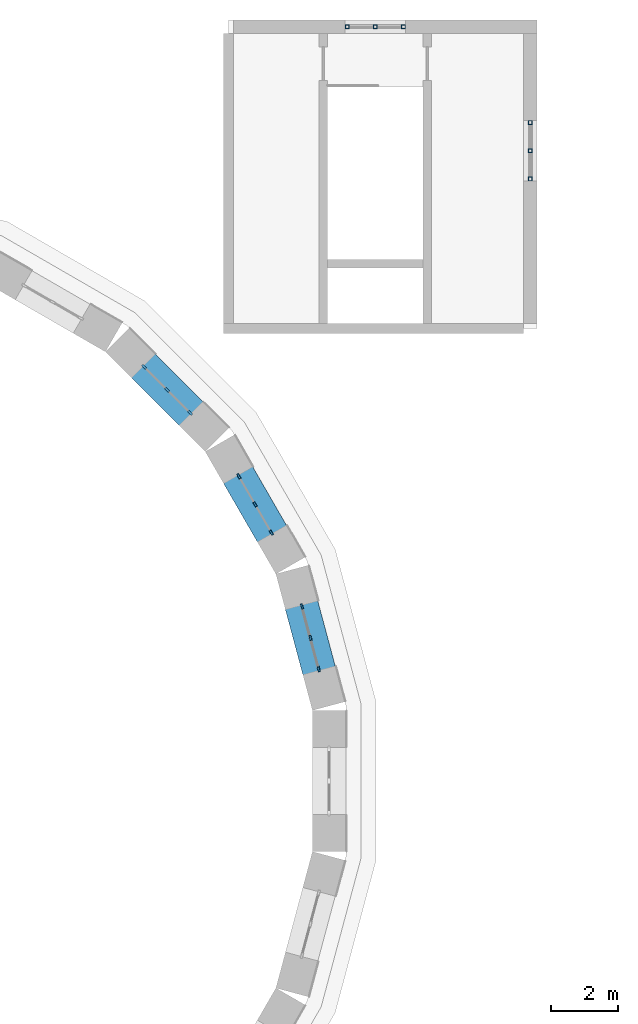
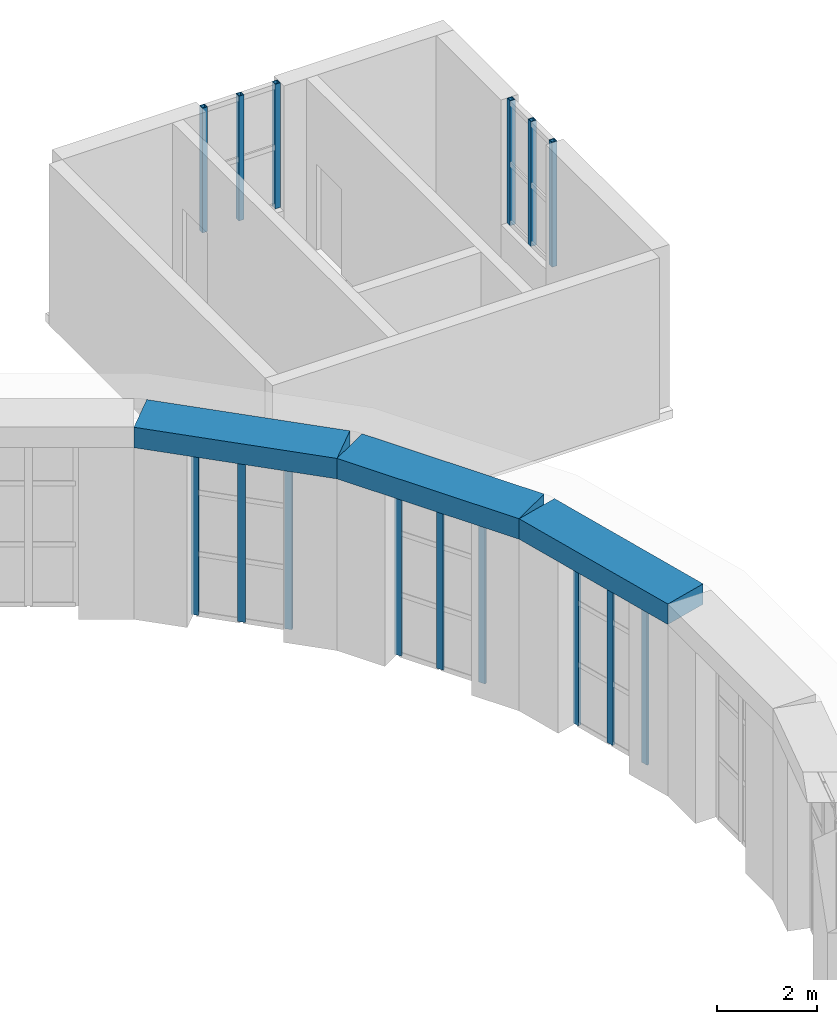
# One storey, part 63 of 121: 15 members, 3 beams, 5 elements without a shape of their own.
"""IFC4 building model written with IfcOpenShell, lengths in metres."""

from ifc_helpers import new_model, si_unit, direction, frame, origin, origin_2d, place, context, subcontext, project, spatial, rectangle, hollow_rectangle, extrude, material, layer, layer_set, material_profile, profile_set, type_object, element, aggregate, save


model = new_model("IFC4")

# Units and contexts
model_context = context("Model", 3, precision=1e-05, world=origin(), true_north=direction((0.0, 1.0)))
body_context = subcontext(model_context, "Body", "Model", "MODEL_VIEW")
ifc_project = project(units=[si_unit("LENGTHUNIT", "METRE"), si_unit("AREAUNIT", "SQUARE_METRE"), si_unit("VOLUMEUNIT", "CUBIC_METRE"), si_unit("PLANEANGLEUNIT", "RADIAN"), si_unit("MASSUNIT", "GRAM", prefix="KILO")], contexts=[model_context])

# Site, building, storey
site_placement = place(None, origin())
site = spatial("IfcSite", under=ifc_project, at=site_placement, CompositionType="ELEMENT")
building_placement = place(site_placement, origin())
building = spatial("IfcBuilding", under=site, at=building_placement, Name="Golden Quay Civic Hall", CompositionType="ELEMENT")
storey_placement = place(building_placement, frame((0.0, 0.0, 18.60009765625)))
storey = spatial("IfcBuildingStorey", under=building, at=storey_placement, Name="L04", CompositionType="ELEMENT", Elevation=18.60009765625)

# Curtain wall, members
ifc_material_1 = material(Name="Glass, laminated double glazed", Category="glass")
ifc_layer = layer(ifc_material_1, 0.199951171875)
ifc_layer_set = layer_set([ifc_layer], Name="Glazed drum clerestory curtain wall")
curtain_wall_type_1 = type_object("IfcCurtainWallType", Name="Glazed drum clerestory curtain wall", PredefinedType="NOTDEFINED", material=ifc_layer_set)
curtain_wall_1_placement = place(storey_placement, origin())
curtain_wall_1 = element("IfcCurtainWall", 1, at=curtain_wall_1_placement, inside=storey, type_object=curtain_wall_type_1, Name="Clerestory curtain wall 1", PredefinedType="NOTDEFINED")
ifc_material_2 = material(Name="Aluminium, anodised", Category="aluminium")
ifc_material_profile_1 = material_profile(ifc_material_2, rectangle(XDim=0.06005859375, YDim=0.159912109375, at=origin_2d()), Name="Aluminium 60 x 160")
ifc_profile_set_1 = profile_set([ifc_material_profile_1], Name="Aluminium, anodised")
member_type_1 = type_object("IfcMemberType", Name="Aluminium mullion 60 x 160", PredefinedType="MULLION", material=ifc_profile_set_1)
member_1_placement = place(storey_placement, frame((101.688720703125, 88.83349609375, -0.2001953125), z_axis=(0.0, 0.0, 1.0), x_axis=(-0.965928857556, -0.258807731996, 0.0)))
member_1 = element("IfcMember", 2, at=member_1_placement, type_object=member_type_1, Name="CW5 mullion 1", PredefinedType="MULLION", context=body_context, shape_type="SweptSolid", body=[
    extrude(rectangle(XDim=0.06005859375, YDim=0.159912109375, at=origin_2d()), origin(), (0.0, 0.0, 1.0), 4.2001953125),
])
member_2_placement = place(storey_placement, frame((101.437744140625, 89.7705078125, -0.2001953125), z_axis=(0.0, 0.0, 1.0), x_axis=(-0.965928857556, -0.258807731996, 0.0)))
member_2 = element("IfcMember", 3, at=member_2_placement, type_object=member_type_1, Name="CW5 mullion 2", PredefinedType="MULLION", context=body_context, shape_type="SweptSolid", body=[
    extrude(rectangle(XDim=0.06005859375, YDim=0.159912109375, at=origin_2d()), origin(), (0.0, 0.0, 1.0), 4.2001953125),
])
member_3_placement = place(storey_placement, frame((101.186767578125, 90.70751953125, -0.2001953125), z_axis=(0.0, 0.0, 1.0), x_axis=(-0.965928857556, -0.258807731996, 0.0)))
member_3 = element("IfcMember", 4, at=member_3_placement, type_object=member_type_1, Name="CW5 mullion 3", PredefinedType="MULLION", context=body_context, shape_type="SweptSolid", body=[
    extrude(rectangle(XDim=0.06005859375, YDim=0.159912109375, at=origin_2d()), origin(), (0.0, 0.0, 1.0), 4.2001953125),
])
aggregate(curtain_wall_1, [member_1, member_2, member_3])

curtain_wall_2_placement = place(storey_placement, origin())
curtain_wall_2 = element("IfcCurtainWall", 5, at=curtain_wall_2_placement, inside=storey, type_object=curtain_wall_type_1, Name="Clerestory curtain wall 2", PredefinedType="NOTDEFINED")
member_4_placement = place(storey_placement, frame((100.2744140625, 92.909912109375, -0.2001953125), z_axis=(0.0, 0.0, 1.0), x_axis=(-0.866019052627, -0.500011000366, 0.0)))
member_4 = element("IfcMember", 6, at=member_4_placement, type_object=member_type_1, Name="CW5 mullion 1", PredefinedType="MULLION", context=body_context, shape_type="SweptSolid", body=[
    extrude(rectangle(XDim=0.06005859375, YDim=0.159912109375, at=origin_2d()), origin(), (0.0, 0.0, 1.0), 4.2001953125),
])
member_5_placement = place(storey_placement, frame((99.789306640625, 93.75, -0.2001953125), z_axis=(0.0, 0.0, 1.0), x_axis=(-0.866019052627, -0.500011000366, 0.0)))
member_5 = element("IfcMember", 7, at=member_5_placement, type_object=member_type_1, Name="CW5 mullion 2", PredefinedType="MULLION", context=body_context, shape_type="SweptSolid", body=[
    extrude(rectangle(XDim=0.06005859375, YDim=0.159912109375, at=origin_2d()), origin(), (0.0, 0.0, 1.0), 4.2001953125),
])
member_6_placement = place(storey_placement, frame((99.304443359375, 94.590087890625, -0.2001953125), z_axis=(0.0, 0.0, 1.0), x_axis=(-0.866019052627, -0.500011000366, 0.0)))
member_6 = element("IfcMember", 8, at=member_6_placement, type_object=member_type_1, Name="CW5 mullion 3", PredefinedType="MULLION", context=body_context, shape_type="SweptSolid", body=[
    extrude(rectangle(XDim=0.06005859375, YDim=0.159912109375, at=origin_2d()), origin(), (0.0, 0.0, 1.0), 4.2001953125),
])
aggregate(curtain_wall_2, [member_4, member_5, member_6])

curtain_wall_3_placement = place(storey_placement, origin())
curtain_wall_3 = element("IfcCurtainWall", 9, at=curtain_wall_3_placement, inside=storey, type_object=curtain_wall_type_1, Name="Clerestory curtain wall 3", PredefinedType="NOTDEFINED")
member_7_placement = place(storey_placement, frame((97.853271484375, 96.4814453125, -0.2001953125), z_axis=(0.0, 0.0, 1.0), x_axis=(-0.707106781187, -0.707106781187, 0.0)))
member_7 = element("IfcMember", 10, at=member_7_placement, type_object=member_type_1, Name="CW5 mullion 1", PredefinedType="MULLION", context=body_context, shape_type="SweptSolid", body=[
    extrude(rectangle(XDim=0.06005859375, YDim=0.159912109375, at=origin_2d()), origin(), (0.0, 0.0, 1.0), 4.2001953125),
])
member_8_placement = place(storey_placement, frame((97.167236328125, 97.167236328125, -0.2001953125), z_axis=(0.0, 0.0, 1.0), x_axis=(-0.707106781187, -0.707106781187, 0.0)))
member_8 = element("IfcMember", 11, at=member_8_placement, type_object=member_type_1, Name="CW5 mullion 2", PredefinedType="MULLION", context=body_context, shape_type="SweptSolid", body=[
    extrude(rectangle(XDim=0.06005859375, YDim=0.159912109375, at=origin_2d()), origin(), (0.0, 0.0, 1.0), 4.2001953125),
])
member_9_placement = place(storey_placement, frame((96.4814453125, 97.853271484375, -0.2001953125), z_axis=(0.0, 0.0, 1.0), x_axis=(-0.707106781187, -0.707106781187, 0.0)))
member_9 = element("IfcMember", 12, at=member_9_placement, type_object=member_type_1, Name="CW5 mullion 3", PredefinedType="MULLION", context=body_context, shape_type="SweptSolid", body=[
    extrude(rectangle(XDim=0.06005859375, YDim=0.159912109375, at=origin_2d()), origin(), (0.0, 0.0, 1.0), 4.2001953125),
])
aggregate(curtain_wall_3, [member_7, member_8, member_9])

ifc_material_3 = material(Name="Fire-resisting glass and steel", Category="steel")
curtain_wall_type_2 = type_object("IfcCurtainWallType", Name="Fire-resisting glazed stair curtain wall EI 120", PredefinedType="NOTDEFINED", material=ifc_material_3)
curtain_wall_4_placement = place(storey_placement, origin())
curtain_wall_4 = element("IfcCurtainWall", 13, at=curtain_wall_4_placement, inside=storey, type_object=curtain_wall_type_2, Name="CW4 stair curtain wall", PredefinedType="NOTDEFINED")
ifc_material_4 = material(Name="Steel S355", Category="steel")
ifc_material_profile_2 = material_profile(ifc_material_4, hollow_rectangle(XDim=0.1201171875, YDim=0.1201171875, WallThickness=0.012451171875, at=origin_2d()), Name="SHS 120x120x12.5")
ifc_profile_set_2 = profile_set([ifc_material_profile_2], Name="Steel S355")
member_type_2 = type_object("IfcMemberType", Name="Fire-resisting steel stair mullion 120 x 120", PredefinedType="MULLION", material=ifc_profile_set_2)
member_10_placement = place(storey_placement, frame((102.534912109375, 108.0, 0.89990234375), z_axis=(0.0, 0.0, 1.0), x_axis=(0.0, 1.0, 0.0)))
member_10 = element("IfcMember", 14, at=member_10_placement, type_object=member_type_2, Name="CW4 mullion 1", PredefinedType="MULLION", context=body_context, shape_type="SweptSolid", body=[
    extrude(hollow_rectangle(XDim=0.1201171875, YDim=0.1201171875, WallThickness=0.012451171875, at=origin_2d()), origin(), (0.0, 0.0, 1.0), 3.050048828125),
])
member_11_placement = place(storey_placement, frame((103.375, 108.0, 0.89990234375), z_axis=(0.0, 0.0, 1.0), x_axis=(0.0, 1.0, 0.0)))
member_11 = element("IfcMember", 15, at=member_11_placement, type_object=member_type_2, Name="CW4 mullion 2", PredefinedType="MULLION", context=body_context, shape_type="SweptSolid", body=[
    extrude(hollow_rectangle(XDim=0.1201171875, YDim=0.1201171875, WallThickness=0.012451171875, at=origin_2d()), origin(), (0.0, 0.0, 1.0), 3.050048828125),
])
member_12_placement = place(storey_placement, frame((104.215087890625, 108.0, 0.89990234375), z_axis=(0.0, 0.0, 1.0), x_axis=(0.0, 1.0, 0.0)))
member_12 = element("IfcMember", 16, at=member_12_placement, type_object=member_type_2, Name="CW4 mullion 3", PredefinedType="MULLION", context=body_context, shape_type="SweptSolid", body=[
    extrude(hollow_rectangle(XDim=0.1201171875, YDim=0.1201171875, WallThickness=0.012451171875, at=origin_2d()), origin(), (0.0, 0.0, 1.0), 3.050048828125),
])
aggregate(curtain_wall_4, [member_10, member_11, member_12])

curtain_wall_5_placement = place(storey_placement, origin())
curtain_wall_5 = element("IfcCurtainWall", 17, at=curtain_wall_5_placement, inside=storey, type_object=curtain_wall_type_2, Name="CW4 stair curtain wall", PredefinedType="NOTDEFINED")
member_13_placement = place(storey_placement, frame((108.0, 103.4599609375, 0.89990234375), z_axis=(0.0, 0.0, 1.0), x_axis=(-1.0, 0.0, 0.0)))
member_13 = element("IfcMember", 18, at=member_13_placement, type_object=member_type_2, Name="CW4 mullion 1", PredefinedType="MULLION", context=body_context, shape_type="SweptSolid", body=[
    extrude(hollow_rectangle(XDim=0.1201171875, YDim=0.1201171875, WallThickness=0.012451171875, at=origin_2d()), origin(), (0.0, 0.0, 1.0), 3.050048828125),
])
member_14_placement = place(storey_placement, frame((108.0, 104.300048828125, 0.89990234375), z_axis=(0.0, 0.0, 1.0), x_axis=(-1.0, 0.0, 0.0)))
member_14 = element("IfcMember", 19, at=member_14_placement, type_object=member_type_2, Name="CW4 mullion 2", PredefinedType="MULLION", context=body_context, shape_type="SweptSolid", body=[
    extrude(hollow_rectangle(XDim=0.1201171875, YDim=0.1201171875, WallThickness=0.012451171875, at=origin_2d()), origin(), (0.0, 0.0, 1.0), 3.050048828125),
])
member_15_placement = place(storey_placement, frame((108.0, 105.139892578125, 0.89990234375), z_axis=(0.0, 0.0, 1.0), x_axis=(-1.0, 0.0, 0.0)))
member_15 = element("IfcMember", 20, at=member_15_placement, type_object=member_type_2, Name="CW4 mullion 3", PredefinedType="MULLION", context=body_context, shape_type="SweptSolid", body=[
    extrude(hollow_rectangle(XDim=0.1201171875, YDim=0.1201171875, WallThickness=0.012451171875, at=origin_2d()), origin(), (0.0, 0.0, 1.0), 3.050048828125),
])
aggregate(curtain_wall_5, [member_13, member_14, member_15])

# Beams
ifc_material_5 = material(Name="Concrete C40/50", Category="concrete")
ifc_material_profile_3 = material_profile(ifc_material_5, rectangle(XDim=1.0, YDim=0.5, at=origin_2d()), Name="RC 1000x500")
ifc_profile_set_3 = profile_set([ifc_material_profile_3], Name="Concrete C40/50")
beam_type = type_object("IfcBeamType", Name="Reinforced concrete springing ring beam 1000x500", PredefinedType="BEAM", material=ifc_profile_set_3)
for number, where, z_axis, x_axis, name in (
    (21, (101.98291015625, 87.73583984375, 4.25), (-0.258809467323, 0.965928392597, 0.0), (-0.965928392597, -0.258809467323, 0.0), "Drum ring beam segment 1"),
    (22, (100.842529296875, 91.92578125, 4.25), (-0.500003371769, 0.866023457084, 0.0), (-0.866023457084, -0.500003371769, 0.0), "Drum ring beam segment 2"),
    (23, (98.65673828125, 95.677734375, 4.25), (-0.707106781187, 0.707106781187, 0.0), (-0.707106781187, -0.707106781187, 0.0), "Drum ring beam segment 3"),
):
    element("IfcBeam", number, at=place(storey_placement, frame(where, z_axis=z_axis, x_axis=x_axis)), inside=storey, type_object=beam_type, Name=name, PredefinedType="BEAM", context=body_context, shape_type="SweptSolid", body=[
        extrude(rectangle(XDim=1.0, YDim=0.5, at=origin_2d()), origin(), (0.0, 0.0, 1.0), 4.212890625),
    ])

save(model, "model.ifc")
